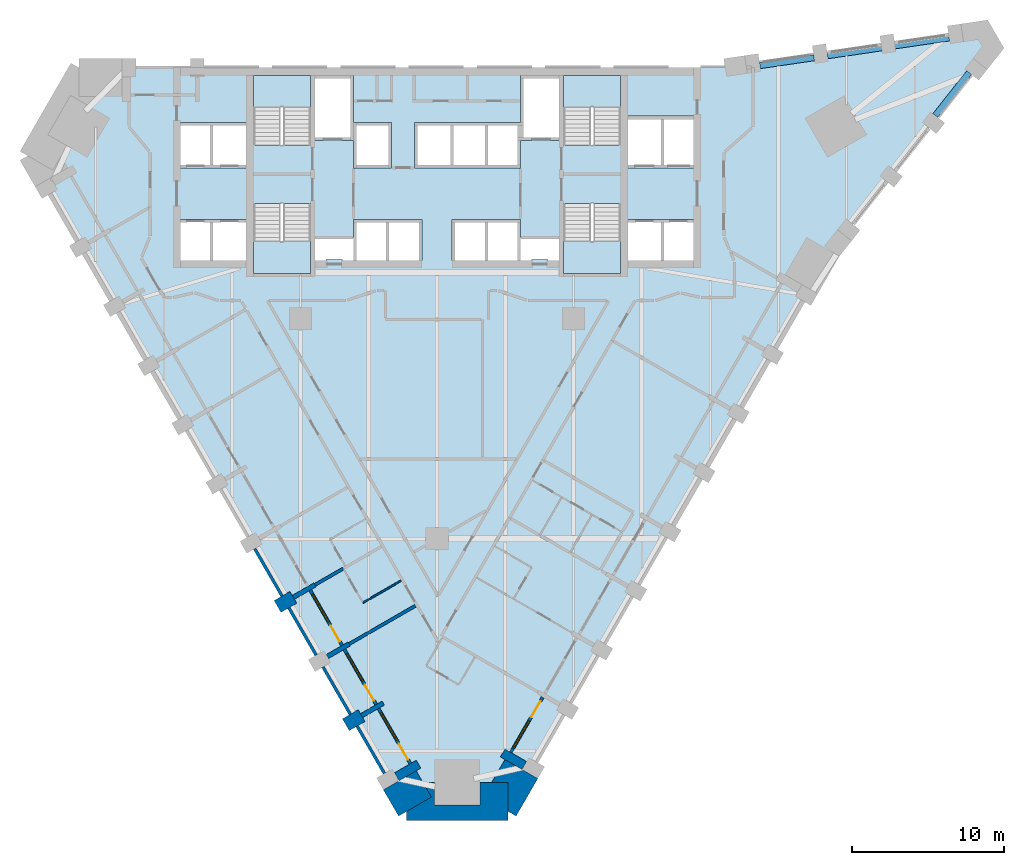
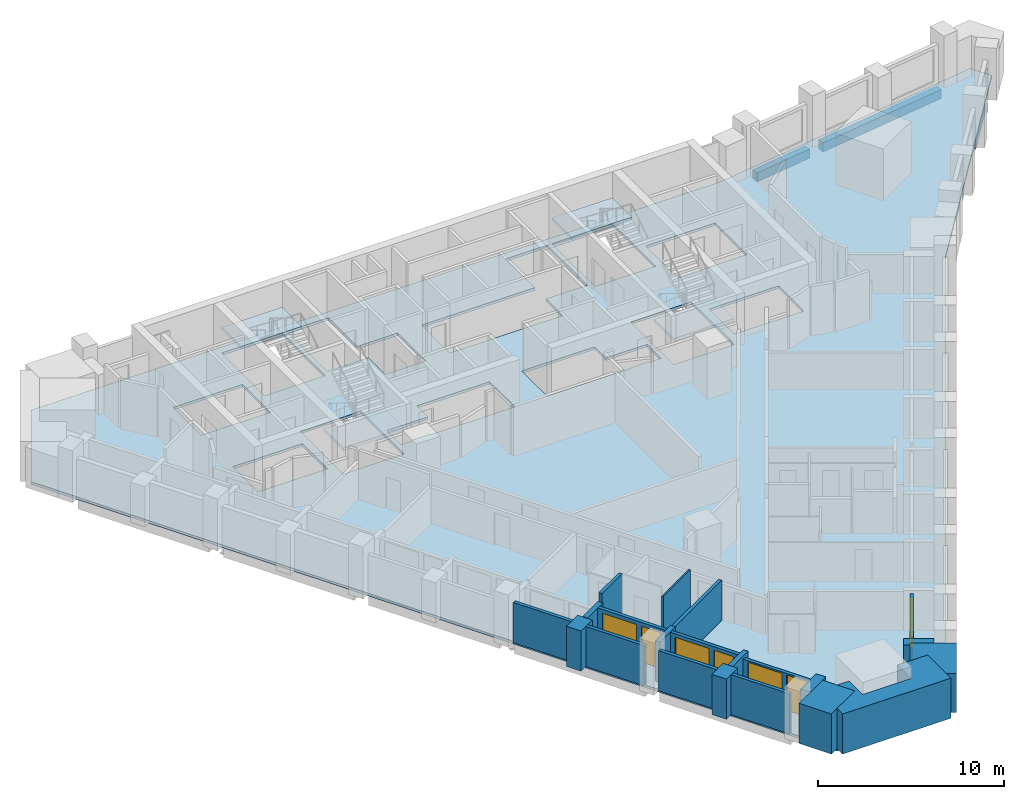
# One storey, part 2 of 10: 21 walls, 5 slabs, 4 doors, 4 windows, 3 beams, 8 openings, 4 elements without a shape of their own.
"""IFC4 building model written with IfcOpenShell, lengths in metres."""

from ifc_helpers import new_model, si_unit, direction, frame, frame_2d, origin, origin_2d, place, context, subcontext, project, spatial, polyline, rectangle, outline, extrude, material, layer, layer_set, material_profile, profile_set, type_object, element, fill, aggregate, save


model = new_model("IFC4")

# Units and contexts
model_context = context("Model", 3, precision=1e-05, world=origin(), true_north=direction((0.0, 1.0)))
body_context = subcontext(model_context, "Body", "Model", "MODEL_VIEW")
ifc_project = project(units=[si_unit("LENGTHUNIT", "METRE"), si_unit("AREAUNIT", "SQUARE_METRE"), si_unit("VOLUMEUNIT", "CUBIC_METRE"), si_unit("PLANEANGLEUNIT", "RADIAN"), si_unit("MASSUNIT", "GRAM", prefix="KILO")], contexts=[model_context])

# Site, building, storey
site_placement = place(None, origin())
site = spatial("IfcSite", under=ifc_project, at=site_placement, CompositionType="ELEMENT")
building_placement = place(site_placement, origin())
building = spatial("IfcBuilding", under=site, at=building_placement, Name="Calabash Gate Tower", CompositionType="ELEMENT")
storey_placement = place(building_placement, frame((0.0, 0.0, 95.199951171875)))
storey = spatial("IfcBuildingStorey", under=building, at=storey_placement, Name="L20", CompositionType="ELEMENT", Elevation=95.199951171875)

# Beams
ifc_material_1 = material(Name="Concrete C60/75", Category="concrete")
ifc_material_profile = material_profile(ifc_material_1, rectangle(XDim=0.39990234375, YDim=0.60009765625, at=origin_2d()))
ifc_profile_set = profile_set([ifc_material_profile], Name="Concrete C60/75")
beam_type = type_object("IfcBeamType", Name="Edge beam RC 400x600 Concrete C60/75", PredefinedType="BEAM", material=ifc_profile_set)
beam_1_placement = place(storey_placement, frame((32.841064453125, 15.90087890625, -0.469970703125), z_axis=(0.619938740258, 0.784650213998, 0.0), x_axis=(-0.784650213998, 0.619938740258, 0.0)))
element("IfcBeam", 1, at=beam_1_placement, inside=storey, type_object=beam_type, Name="Edge beam L20 12", PredefinedType="BEAM", context=body_context, shape_type="SweptSolid", body=[
    extrude(rectangle(XDim=0.39990234375, YDim=0.60009765625, at=origin_2d()), origin(), (0.0, 0.0, 1.0), 3.601806640625),
])
beam_2_placement = place(storey_placement, frame((33.7529296875, 21.012939453125, -0.469970703125), z_axis=(-0.989420683867, -0.145074843913, 0.0), x_axis=(0.145074843913, -0.989420683867, 0.0)))
element("IfcBeam", 2, at=beam_2_placement, inside=storey, type_object=beam_type, Name="Edge beam L20 15", PredefinedType="BEAM", context=body_context, shape_type="SweptSolid", body=[
    extrude(rectangle(XDim=0.39990234375, YDim=0.60009765625, at=origin_2d()), origin(), (0.0, 0.0, 1.0), 8.099609375),
])
beam_3_placement = place(storey_placement, frame((24.84912109375, 19.7080078125, -0.469970703125), z_axis=(-0.989433082017, -0.144990262464, 0.0), x_axis=(0.144990262464, -0.989433082017, 0.0)))
element("IfcBeam", 3, at=beam_3_placement, inside=storey, type_object=beam_type, Name="Edge beam L20 16", PredefinedType="BEAM", context=body_context, shape_type="SweptSolid", body=[
    extrude(rectangle(XDim=0.39990234375, YDim=0.60009765625, at=origin_2d()), origin(), (0.0, 0.0, 1.0), 3.60009765625),
])

# Slab
ifc_material_2 = material(Name="Concrete C40/50", Category="concrete")
ifc_layer_1 = layer(ifc_material_2, 0.169921875)
ifc_layer_set_1 = layer_set([ifc_layer_1], Name="Composite floor slab 170 Concrete C40/50")
slab_type_1 = type_object("IfcSlabType", Name="Composite floor slab 170 Concrete C40/50", PredefinedType="FLOOR", material=ifc_layer_set_1)
slab_1_placement = place(storey_placement, frame((0.0, 0.0, -0.169921875)))
element("IfcSlab", 4, at=slab_1_placement, inside=storey, type_object=slab_type_1, Name="Floor slab L20", PredefinedType="FLOOR", context=body_context, shape_type="SweptSolid", body=[
    extrude(outline(polyline([(-26.965576171875, 13.240966796875), (-23.610107421875, 19.052490234375), (19.0, 19.052490234375), (35.982177734375, 21.54150390625), (36.646484375, 20.390625), (26.0, 6.92822265625), (4.69482421875, -29.973388671875), (-2.015869140625, -29.973388671875), (-26.965576171875, 13.240966796875)]), holes=[polyline([(-5.5, 9.052490234375), (-5.5, 7.8525390625), (-8.050048828125, 7.8525390625), (-8.050048828125, 6.3525390625), (-7.324951171875, 6.3525390625), (-7.324951171875, 6.402587890625), (-6.22509765625, 6.402587890625), (-6.22509765625, 6.3525390625), (-5.5, 6.3525390625), (-3.25, 6.3525390625), (-1.0, 6.3525390625), (-1.0, 9.052490234375), (-3.25, 9.052490234375), (-5.5, 9.052490234375)]), polyline([(5.5, 9.052490234375), (3.25, 9.052490234375), (1.0, 9.052490234375), (1.0, 6.3525390625), (3.25, 6.3525390625), (5.5, 6.3525390625), (6.22509765625, 6.3525390625), (6.22509765625, 6.402587890625), (7.324951171875, 6.402587890625), (7.324951171875, 6.3525390625), (8.050048828125, 6.3525390625), (8.050048828125, 7.8525390625), (5.5, 7.8525390625), (5.5, 9.052490234375)]), polyline([(-5.5, 14.252685546875), (-5.5, 12.45263671875), (-3.0, 12.45263671875), (-3.0, 15.45263671875), (-5.5, 15.45263671875), (-5.5, 18.552490234375), (-8.050048828125, 18.552490234375), (-8.050048828125, 14.252685546875), (-5.5, 14.252685546875)]), polyline([(8.050048828125, 18.552490234375), (5.5, 18.552490234375), (5.5, 15.45263671875), (3.25, 15.45263671875), (1.0, 15.45263671875), (-1.5, 15.45263671875), (-1.5, 12.45263671875), (1.0, 12.45263671875), (3.25, 12.45263671875), (5.5, 12.45263671875), (5.5, 14.252685546875), (8.050048828125, 14.252685546875), (8.050048828125, 18.552490234375)]), polyline([(-12.60009765625, 6.3525390625), (-12.60009765625, 9.052490234375), (-14.85009765625, 9.052490234375), (-16.89990234375, 9.052490234375), (-16.89990234375, 6.3525390625), (-14.85009765625, 6.3525390625), (-12.60009765625, 6.3525390625)]), polyline([(-14.85009765625, 12.45263671875), (-12.60009765625, 12.45263671875), (-12.60009765625, 15.45263671875), (-14.85009765625, 15.45263671875), (-16.89990234375, 15.45263671875), (-16.89990234375, 12.45263671875), (-14.85009765625, 12.45263671875)]), polyline([(14.85009765625, 6.3525390625), (16.89990234375, 6.3525390625), (16.89990234375, 9.052490234375), (14.85009765625, 9.052490234375), (12.60009765625, 9.052490234375), (12.60009765625, 6.3525390625), (14.85009765625, 6.3525390625)]), polyline([(14.85009765625, 12.45263671875), (16.89990234375, 12.45263671875), (16.89990234375, 15.8525390625), (14.85009765625, 15.8525390625), (12.60009765625, 15.8525390625), (12.60009765625, 12.45263671875), (14.85009765625, 12.45263671875)]), polyline([(-8.35009765625, 18.552490234375), (-12.10009765625, 18.552490234375), (-12.10009765625, 13.95263671875), (-8.35009765625, 13.95263671875), (-8.35009765625, 18.552490234375)]), polyline([(-12.10009765625, 10.1025390625), (-12.10009765625, 5.502685546875), (-8.35009765625, 5.502685546875), (-8.35009765625, 10.1025390625), (-12.10009765625, 10.1025390625)]), polyline([(8.35009765625, 13.95263671875), (12.10009765625, 13.95263671875), (12.10009765625, 18.552490234375), (8.35009765625, 18.552490234375), (8.35009765625, 13.95263671875)]), polyline([(12.10009765625, 5.502685546875), (12.10009765625, 10.1025390625), (8.35009765625, 10.1025390625), (8.35009765625, 5.502685546875), (12.10009765625, 5.502685546875)])]), origin(), (0.0, 0.0, 1.0), 0.169921875),
])

# Stair, slab
ifc_material_3 = material(Name="Concrete C40/50", Category="concrete")
stair_type = type_object("IfcStairType", Name="Exit stair 20 risers of 170 mm", PredefinedType="HALF_TURN_STAIR", material=ifc_material_3)
stair_1_placement = place(storey_placement, origin())
stair_1 = element("IfcStair", 5, at=stair_1_placement, inside=storey, type_object=stair_type, Name="L20 Exit stair ST1", PredefinedType="HALF_TURN_STAIR")
ifc_material_4 = material(Name="Concrete C40/50", Category="concrete")
ifc_layer_2 = layer(ifc_material_4, 0.199951171875)
ifc_layer_set_2 = layer_set([ifc_layer_2], Name="Stair landing SL200")
slab_type_2 = type_object("IfcSlabType", Name="Stair landing SL200", PredefinedType="LANDING", material=ifc_layer_set_2)
slab_2_placement = place(storey_placement, frame((0.0, 0.0, 1.5)))
slab_2 = element("IfcSlab", 6, at=slab_2_placement, type_object=slab_type_2, Name="ST1 landing 1", PredefinedType="LANDING", context=body_context, shape_type="SweptSolid", body=[
    extrude(outline(polyline([(-8.35009765625, 16.463623046875), (-8.35009765625, 18.552490234375), (-12.10009765625, 18.552490234375), (-12.10009765625, 16.463623046875), (-8.35009765625, 16.463623046875)])), origin(), (0.0, 0.0, 1.0), 0.199951171875),
])
aggregate(stair_1, [slab_2])

stair_2_placement = place(storey_placement, origin())
stair_2 = element("IfcStair", 7, at=stair_2_placement, inside=storey, type_object=stair_type, Name="L20 Exit stair ST2", PredefinedType="HALF_TURN_STAIR")
slab_3_placement = place(storey_placement, frame((0.0, 0.0, 1.5)))
slab_3 = element("IfcSlab", 8, at=slab_3_placement, type_object=slab_type_2, Name="ST2 landing 1", PredefinedType="LANDING", context=body_context, shape_type="SweptSolid", body=[
    extrude(outline(polyline([(-12.10009765625, 7.591552734375), (-12.10009765625, 5.502685546875), (-8.35009765625, 5.502685546875), (-8.35009765625, 7.591552734375), (-12.10009765625, 7.591552734375)])), origin(), (0.0, 0.0, 1.0), 0.199951171875),
])
aggregate(stair_2, [slab_3])

stair_3_placement = place(storey_placement, origin())
stair_3 = element("IfcStair", 9, at=stair_3_placement, inside=storey, type_object=stair_type, Name="L20 Exit stair ST3", PredefinedType="HALF_TURN_STAIR")
slab_4_placement = place(storey_placement, frame((0.0, 0.0, 1.5)))
slab_4 = element("IfcSlab", 10, at=slab_4_placement, type_object=slab_type_2, Name="ST3 landing 1", PredefinedType="LANDING", context=body_context, shape_type="SweptSolid", body=[
    extrude(outline(polyline([(12.10009765625, 16.463623046875), (12.10009765625, 18.552490234375), (8.35009765625, 18.552490234375), (8.35009765625, 16.463623046875), (12.10009765625, 16.463623046875)])), origin(), (0.0, 0.0, 1.0), 0.199951171875),
])
aggregate(stair_3, [slab_4])

stair_4_placement = place(storey_placement, origin())
stair_4 = element("IfcStair", 11, at=stair_4_placement, inside=storey, type_object=stair_type, Name="L20 Exit stair ST4", PredefinedType="HALF_TURN_STAIR")
slab_5_placement = place(storey_placement, frame((0.0, 0.0, 1.5)))
slab_5 = element("IfcSlab", 12, at=slab_5_placement, type_object=slab_type_2, Name="ST4 landing 1", PredefinedType="LANDING", context=body_context, shape_type="SweptSolid", body=[
    extrude(outline(polyline([(8.35009765625, 7.591552734375), (8.35009765625, 5.502685546875), (12.10009765625, 5.502685546875), (12.10009765625, 7.591552734375), (8.35009765625, 7.591552734375)])), origin(), (0.0, 0.0, 1.0), 0.199951171875),
])
aggregate(stair_4, [slab_5])

# Walls
ifc_material_5 = material(Name="Terracotta brick masonry, exposed face", Category="masonry")
ifc_layer_3 = layer(ifc_material_5, 2.5)
ifc_layer_set_3 = layer_set([ifc_layer_3], Name="Brick corner mass wall 2500")
wall_type_1 = type_object("IfcWallType", Name="Brick corner mass wall 2500", PredefinedType="SOLIDWALL", material=ifc_layer_set_3)
wall_1_placement = place(storey_placement, origin())
element("IfcWall", 13, at=wall_1_placement, inside=storey, type_object=wall_type_1, Name="Brick corner pier S05 1a", PredefinedType="SOLIDWALL", context=body_context, shape_type="SweptSolid", body=[
    extrude(outline(polyline([(-3.535400390625, -28.54150390625), (-2.535400390625, -30.273193359375), (-0.370361328125, -29.023193359375), (-1.370361328125, -27.29150390625), (-2.496337890625, -27.941650390625), (-2.496337890625, -27.941650390625), (-3.535400390625, -28.54150390625)])), origin(), (0.0, 0.0, 1.0), 2.630126953125),
])
wall_2_placement = place(storey_placement, origin())
element("IfcWall", 14, at=wall_2_placement, inside=storey, type_object=wall_type_1, Name="Brick corner pier S05 1b", PredefinedType="SOLIDWALL", context=body_context, shape_type="SweptSolid", body=[
    extrude(outline(polyline([(-0.9189453125, -28.0732421875), (-0.370361328125, -29.023193359375), (-2.015869140625, -29.973388671875), (-2.015869140625, -30.5732421875), (4.69482421875, -30.5732421875), (4.69482421875, -28.0732421875), (2.840087890625, -28.0732421875), (2.840087890625, -29.530029296875), (-0.159912109375, -29.530029296875), (-0.159912109375, -28.0732421875), (-0.9189453125, -28.0732421875)])), origin(), (0.0, 0.0, 1.0), 2.630126953125),
])
wall_3_placement = place(storey_placement, origin())
element("IfcWall", 15, at=wall_3_placement, inside=storey, type_object=wall_type_1, Name="Brick corner pier S05 1c", PredefinedType="SOLIDWALL", context=body_context, shape_type="SweptSolid", body=[
    extrude(outline(polyline([(6.641845703125, -27.800537109375), (4.47705078125, -26.55078125), (3.597900390625, -28.0732421875), (4.69482421875, -28.0732421875), (4.69482421875, -29.973388671875), (5.214599609375, -30.273193359375), (6.641845703125, -27.800537109375)])), origin(), (0.0, 0.0, 1.0), 2.552001953125),
])
ifc_material_6 = material(Name="Terracotta brick masonry, exposed face", Category="masonry")
ifc_layer_4 = layer(ifc_material_6, 1.199951171875)
ifc_layer_set_4 = layer_set([ifc_layer_4], Name="Brick end wall 1200")
wall_type_2 = type_object("IfcWallType", Name="Brick end wall 1200", PredefinedType="SOLIDWALL", material=ifc_layer_set_4)
wall_4_placement = place(storey_placement, frame((-10.51025390625, -16.46044921875, 0.0), z_axis=(0.0, 0.0, 1.0), x_axis=(0.865955154139, 0.50012165622, 0.0)))
element("IfcWall", 16, at=wall_4_placement, inside=storey, type_object=wall_type_2, Name="Brick pier S05 SW0.7", PredefinedType="SOLIDWALL", context=body_context, shape_type="SweptSolid", body=[
    extrude(rectangle(XDim=1.199951171875, YDim=0.89990234375, at=frame_2d((0.60009765625, 0.0))), origin(), (0.0, 0.0, 1.0), 2.630126953125),
])
wall_5_placement = place(storey_placement, frame((-6.01025390625, -24.254638671875, 0.0), z_axis=(0.0, 0.0, 1.0), x_axis=(0.866043267704, 0.499969057507, 0.0)))
element("IfcWall", 17, at=wall_5_placement, inside=storey, type_object=wall_type_2, Name="Brick pier S05 SW0.9", PredefinedType="SOLIDWALL", context=body_context, shape_type="SweptSolid", body=[
    extrude(rectangle(XDim=1.19970703125, YDim=0.89990234375, at=frame_2d((0.599853515625, 0.0))), origin(), (0.0, 0.0, 1.0), 2.630126953125),
])
ifc_material_7 = material(Name="Terracotta brick masonry, exposed face", Category="masonry")
ifc_layer_5 = layer(ifc_material_7, 0.300048828125)
ifc_layer_set_5 = layer_set([ifc_layer_5], Name="Brick loggia cheek wall 300")
wall_type_3 = type_object("IfcWallType", Name="Brick loggia cheek wall 300", PredefinedType="SOLIDWALL", material=ifc_layer_set_5)
for number, where, z_axis, x_axis, name in (
    (18, (-8.042236328125, -15.035400390625, 0.0), (0.0, 0.0, 1.0), (-0.866040211805, -0.499974350878, 0.0), "Loggia cheek S05 SW0.7"),
    (19, (-7.22119140625, -19.757568359375, 0.0), (0.0, 0.0, 1.0), (0.866040211805, 0.499974350878, 0.0), "Loggia cheek S05 SW0.8"),
):
    element("IfcWall", number, at=place(storey_placement, frame(where, z_axis=z_axis, x_axis=x_axis)), inside=storey, type_object=wall_type_3, Name=name, PredefinedType="SOLIDWALL", context=body_context, shape_type="SweptSolid", body=[
        extrude(rectangle(XDim=1.64990234375, YDim=0.300048828125, at=frame_2d((0.824951171875, 0.0))), origin(), (0.0, 0.0, 1.0), 2.650146484375),
    ])
wall_6_placement = place(storey_placement, frame((-4.97119140625, -23.65478515625, 0.0), z_axis=(0.0, 0.0, 1.0), x_axis=(0.865976140824, 0.500085316245, 0.0)))
element("IfcWall", 20, at=wall_6_placement, inside=storey, type_object=wall_type_3, Name="Loggia cheek S05 SW0.9", PredefinedType="SOLIDWALL", context=body_context, shape_type="SweptSolid", body=[
    extrude(rectangle(XDim=1.650146484375, YDim=0.300048828125, at=frame_2d((0.8251953125, 0.0))), origin(), (0.0, 0.0, 1.0), 2.6279296875),
])
wall_7_placement = place(storey_placement, frame((-1.217041015625, -26.856689453125, 0.0), z_axis=(0.0, 0.0, 1.0), x_axis=(-0.866040211805, -0.499974350878, 0.0)))
element("IfcWall", 21, at=wall_7_placement, inside=storey, type_object=wall_type_3, Name="Loggia cheek S05 SW0.10", PredefinedType="SOLIDWALL", context=body_context, shape_type="SweptSolid", body=[
    extrude(rectangle(XDim=1.64990234375, YDim=0.60009765625, at=frame_2d((0.824951171875, 0.0))), origin(), (0.0, 0.0, 1.0), 2.630126953125),
])
wall_8_placement = place(storey_placement, frame((5.75244140625, -26.940673828125, 0.0), z_axis=(0.0, 0.0, 1.0), x_axis=(-0.866030301974, 0.499991515992, 0.0)))
element("IfcWall", 22, at=wall_8_placement, inside=storey, type_object=wall_type_3, Name="Loggia cheek S05 SE2.0", PredefinedType="SOLIDWALL", context=body_context, shape_type="SweptSolid", body=[
    extrude(rectangle(XDim=1.6494140625, YDim=0.60009765625, at=frame_2d((0.82470703125, 0.0))), origin(), (0.0, 0.0, 1.0), 2.4501953125),
])
ifc_material_8 = material(Name="Gypsum board on steel studs, mineral wool", Category="steel")
ifc_layer_6 = layer(ifc_material_8, 0.10009765625)
ifc_layer_set_6 = layer_set([ifc_layer_6], Name="Partition 100 gypsum board")
wall_type_4 = type_object("IfcWallType", Name="Partition 100 gypsum board", PredefinedType="PARTITIONING", material=ifc_layer_set_6)
wall_9_placement = place(storey_placement, frame((-4.880126953125, -16.212158203125, 0.0), z_axis=(0.0, 0.0, 1.0), x_axis=(0.865729701078, 0.500511822708, 0.0)))
element("IfcWall", 23, at=wall_9_placement, inside=storey, type_object=wall_type_4, Name="Partition", PredefinedType="PARTITIONING", context=body_context, shape_type="SweptSolid", body=[
    extrude(rectangle(XDim=2.89990234375, YDim=0.10009765625, at=frame_2d((1.449951171875, 0.0))), origin(), (0.0, 0.0, 1.0), 2.6279296875),
])
ifc_material_9 = material(Name="Gypsum board on steel studs, mineral wool", Category="steel")
ifc_layer_7 = layer(ifc_material_9, 0.199951171875)
ifc_layer_set_7 = layer_set([ifc_layer_7], Name="Partition 200 gypsum board EI 60")
wall_type_5 = type_object("IfcWallType", Name="Partition 200 gypsum board EI 60", PredefinedType="PARTITIONING", material=ifc_layer_set_7)
wall_10_placement = place(storey_placement, frame((-5.7919921875, -18.93310546875, 0.0), z_axis=(0.0, 0.0, 1.0), x_axis=(0.866155802953, 0.499774073968, 0.0)))
element("IfcWall", 24, at=wall_10_placement, inside=storey, type_object=wall_type_5, Name="Partition", PredefinedType="PARTITIONING", context=body_context, shape_type="SweptSolid", body=[
    extrude(rectangle(XDim=5.049560546875, YDim=0.199951171875, at=frame_2d((2.52490234375, 0.0))), origin(), (0.0, 0.0, 1.0), 2.6279296875),
])
wall_11_placement = place(storey_placement, frame((-8.0419921875, -15.03564453125, 0.0), z_axis=(0.0, 0.0, 1.0), x_axis=(0.866448284977, 0.499266831925, 0.0)))
element("IfcWall", 25, at=wall_11_placement, inside=storey, type_object=wall_type_5, Name="Partition", PredefinedType="PARTITIONING", context=body_context, shape_type="SweptSolid", body=[
    extrude(rectangle(XDim=2.149658203125, YDim=0.199951171875, at=frame_2d((1.07470703125, 0.0))), origin(), (0.0, 0.0, 1.0), 3.22998046875),
])
ifc_material_10 = material(Name="Terracotta brick masonry, perforated", Category="masonry")
ifc_layer_8 = layer(ifc_material_10, 0.199951171875)
ifc_layer_set_8 = layer_set([ifc_layer_8], Name="Terracotta jaali screen A")
wall_type_6 = type_object("IfcWallType", Name="Terracotta jaali screen A", PredefinedType="SOLIDWALL", material=ifc_layer_set_8)
wall_12_placement = place(storey_placement, frame((-12.015625, -12.653076171875, 0.0), z_axis=(0.0, 0.0, 1.0), x_axis=(0.499961193289, -0.866047807691, 0.0)))
element("IfcWall", 26, at=wall_12_placement, inside=storey, type_object=wall_type_6, Name="SCREEN A S05 SW0.7", PredefinedType="SOLIDWALL", context=body_context, shape_type="SweptSolid", body=[
    extrude(rectangle(XDim=3.599853515625, YDim=0.199951171875, at=frame_2d((1.7998046875, 0.0))), origin(), (0.0, 0.0, 1.0), 2.630126953125),
])
wall_13_placement = place(storey_placement, frame((-9.765625, -16.550048828125, 0.0), z_axis=(0.0, 0.0, 1.0), x_axis=(0.499931829785, -0.866064758299, 0.0)))
element("IfcWall", 27, at=wall_13_placement, inside=storey, type_object=wall_type_6, Name="SCREEN A S05 SW0.8", PredefinedType="SOLIDWALL", context=body_context, shape_type="SweptSolid", body=[
    extrude(rectangle(XDim=3.60009765625, YDim=0.199951171875, at=frame_2d((1.800048828125, 0.0))), origin(), (0.0, 0.0, 1.0), 2.630126953125),
])
for number, where, z_axis, x_axis, name in (
    (28, (-7.515625, -20.447265625, 0.0), (0.0, 0.0, 1.0), (0.499961193289, -0.866047807691, 0.0), "SCREEN A S05 SW0.9"),
    (29, (-5.265625, -24.344482421875, 0.0), (0.0, 0.0, 1.0), (0.499961193289, -0.866047807691, 0.0), "SCREEN A S05 SW0.10"),
):
    element("IfcWall", number, at=place(storey_placement, frame(where, z_axis=z_axis, x_axis=x_axis)), inside=storey, type_object=wall_type_6, Name=name, PredefinedType="SOLIDWALL", context=body_context, shape_type="SweptSolid", body=[
        extrude(rectangle(XDim=3.599853515625, YDim=0.199951171875, at=frame_2d((1.7998046875, 0.0))), origin(), (0.0, 0.0, 1.0), 2.630126953125),
    ])

# Wall, openings, door, window
ifc_material_11 = material(Name="Aluminium framed window wall with insulated spandrel", Category="aluminium")
ifc_layer_9 = layer(ifc_material_11, 0.199951171875)
ifc_layer_set_9 = layer_set([ifc_layer_9], Name="Window wall 200")
wall_type_7 = type_object("IfcWallType", Name="Window wall 200", PredefinedType="ELEMENTEDWALL", material=ifc_layer_set_9)
wall_14_placement = place(storey_placement, frame((-8.35693359375, -15.390380859375, 0.0), z_axis=(0.0, 0.0, 1.0), x_axis=(0.500027713859, -0.866009402589, 0.0)))
wall_14 = element("IfcWall", 30, at=wall_14_placement, inside=storey, type_object=wall_type_7, Name="Window wall S05 SW0.8", PredefinedType="ELEMENTEDWALL", context=body_context, shape_type="SweptSolid", body=[
    extrude(rectangle(XDim=4.199951171875, YDim=0.199951171875, at=frame_2d((2.10009765625, 0.0))), origin(), (0.0, 0.0, 1.0), 2.650146484375),
])
opening_1_placement = place(wall_14_placement, frame((0.300048828125, 0.0, 0.60009765625)))
opening_1 = element("IfcOpeningElement", 31, at=opening_1_placement, cuts=wall_14, Name="Opening HW1", PredefinedType="OPENING", context=body_context, shape_type="SweptSolid", body=[
    extrude(rectangle(XDim=2.10009765625, YDim=1.800048828125, at=frame_2d((1.050048828125, 0.89990234375))), frame((0.0, 0.10986328125, 0.0), z_axis=(0.0, -1.0, 0.0), x_axis=(1.0, 0.0, 0.0)), (0.0, 0.0, 1.0), 0.219970703125),
])
opening_2_placement = place(wall_14_placement, frame((2.699951171875, 0.0, 0.0)))
opening_2 = element("IfcOpeningElement", 32, at=opening_2_placement, cuts=wall_14, Name="Opening H5-026", PredefinedType="OPENING", context=body_context, shape_type="SweptSolid", body=[
    extrude(rectangle(XDim=1.199951171875, YDim=2.39990234375, at=frame_2d((0.60009765625, 1.199951171875))), frame((0.0, 0.10986328125, 0.0), z_axis=(0.0, -1.0, 0.0), x_axis=(1.0, 0.0, 0.0)), (0.0, 0.0, 1.0), 0.219970703125),
])
ifc_material_12 = material(Name="Anodised aluminium frame, bronze finish, impact-rated laminated clear glazing", Category="aluminium")
door_type_1 = type_object("IfcDoorType", Name="Loggia door DH1 1200x2400", OperationType="SLIDING_TO_LEFT", PredefinedType="DOOR", material=ifc_material_12)
door_1_placement = place(opening_2_placement, origin())
door_1 = element("IfcDoor", 33, at=door_1_placement, inside=storey, type_object=door_type_1, Name="Loggia door S05 SW0.8", OperationType="SINGLE_SWING_LEFT", OverallHeight=2.39990234375, OverallWidth=1.199951171875, PredefinedType="DOOR", context=body_context, shape_type="SweptSolid", body=[
    extrude(rectangle(XDim=1.199951171875, YDim=2.39990234375, at=frame_2d((0.60009765625, 1.199951171875))), frame((0.0, 0.02490234375, 0.0), z_axis=(0.0, -1.0, 0.0), x_axis=(1.0, 0.0, 0.0)), (0.0, 0.0, 1.0), 0.050048828125),
])
fill(opening_2, door_1)
ifc_material_13 = material(Name="Anodised aluminium frame, bronze finish, impact-rated laminated clear glazing", Category="aluminium")
window_type_1 = type_object("IfcWindowType", Name="Window HW1 2100x1800", PartitioningType="DOUBLE_PANEL_VERTICAL", PredefinedType="WINDOW", material=ifc_material_13)
window_1_placement = place(opening_1_placement, origin())
window_1 = element("IfcWindow", 34, at=window_1_placement, inside=storey, type_object=window_type_1, Name="Window HW1 S05 SW0.8", OverallHeight=1.800048828125, OverallWidth=2.10009765625, PartitioningType="SINGLE_PANEL", PredefinedType="WINDOW", context=body_context, shape_type="SweptSolid", body=[
    extrude(rectangle(XDim=2.10009765625, YDim=1.800048828125, at=frame_2d((1.050048828125, 0.89990234375))), frame((0.0, 0.030029296875, 0.0), z_axis=(0.0, -1.0, 0.0), x_axis=(1.0, 0.0, 0.0)), (0.0, 0.0, 1.0), 0.06005859375),
])
fill(opening_1, window_1)

wall_15_placement = place(storey_placement, frame((-6.10693359375, -19.287353515625, 0.0), z_axis=(0.0, 0.0, 1.0), x_axis=(0.500002543286, -0.866023935413, 0.0)))
wall_15 = element("IfcWall", 35, at=wall_15_placement, inside=storey, type_object=wall_type_7, Name="Window wall S05 SW0.9", PredefinedType="ELEMENTEDWALL", context=body_context, shape_type="SweptSolid", body=[
    extrude(rectangle(XDim=4.2001953125, YDim=0.199951171875, at=frame_2d((2.10009765625, 0.0))), origin(), (0.0, 0.0, 1.0), 2.6279296875),
])
opening_3_placement = place(wall_15_placement, frame((0.300048828125, 0.0, 0.60009765625)))
opening_3 = element("IfcOpeningElement", 36, at=opening_3_placement, cuts=wall_15, Name="Opening HW1", PredefinedType="OPENING", context=body_context, shape_type="SweptSolid", body=[
    extrude(rectangle(XDim=2.10009765625, YDim=1.800048828125, at=frame_2d((1.050048828125, 0.89990234375))), frame((0.0, 0.10986328125, 0.0), z_axis=(0.0, -1.0, 0.0), x_axis=(1.0, 0.0, 0.0)), (0.0, 0.0, 1.0), 0.219970703125),
])
opening_4_placement = place(wall_15_placement, frame((2.699951171875, 0.0, 0.0)))
opening_4 = element("IfcOpeningElement", 37, at=opening_4_placement, cuts=wall_15, Name="Opening H5-027", PredefinedType="OPENING", context=body_context, shape_type="SweptSolid", body=[
    extrude(rectangle(XDim=1.199951171875, YDim=2.39990234375, at=frame_2d((0.60009765625, 1.199951171875))), frame((0.0, 0.10986328125, 0.0), z_axis=(0.0, -1.0, 0.0), x_axis=(1.0, 0.0, 0.0)), (0.0, 0.0, 1.0), 0.219970703125),
])
door_2_placement = place(opening_4_placement, origin())
door_2 = element("IfcDoor", 38, at=door_2_placement, inside=storey, type_object=door_type_1, Name="Loggia door S05 SW0.9", OperationType="SINGLE_SWING_LEFT", OverallHeight=2.39990234375, OverallWidth=1.199951171875, PredefinedType="DOOR", context=body_context, shape_type="SweptSolid", body=[
    extrude(rectangle(XDim=1.199951171875, YDim=2.39990234375, at=frame_2d((0.60009765625, 1.199951171875))), frame((0.0, 0.02490234375, 0.0), z_axis=(0.0, -1.0, 0.0), x_axis=(1.0, 0.0, 0.0)), (0.0, 0.0, 1.0), 0.050048828125),
])
fill(opening_4, door_2)
window_2_placement = place(opening_3_placement, origin())
window_2 = element("IfcWindow", 39, at=window_2_placement, inside=storey, type_object=window_type_1, Name="Window HW1 S05 SW0.9", OverallHeight=1.800048828125, OverallWidth=2.10009765625, PartitioningType="SINGLE_PANEL", PredefinedType="WINDOW", context=body_context, shape_type="SweptSolid", body=[
    extrude(rectangle(XDim=2.10009765625, YDim=1.800048828125, at=frame_2d((1.050048828125, 0.89990234375))), frame((0.0, 0.030029296875, 0.0), z_axis=(0.0, -1.0, 0.0), x_axis=(1.0, 0.0, 0.0)), (0.0, 0.0, 1.0), 0.06005859375),
])
fill(opening_3, window_2)

wall_16_placement = place(storey_placement, frame((-3.85693359375, -23.1845703125, 0.0), z_axis=(0.0, 0.0, 1.0), x_axis=(0.500027713859, -0.866009402589, 0.0)))
wall_16 = element("IfcWall", 40, at=wall_16_placement, inside=storey, type_object=wall_type_7, Name="Window wall S05 SW0.10", PredefinedType="ELEMENTEDWALL", context=body_context, shape_type="SweptSolid", body=[
    extrude(rectangle(XDim=4.199951171875, YDim=0.199951171875, at=frame_2d((2.10009765625, 0.0))), origin(), (0.0, 0.0, 1.0), 2.4501953125),
])
opening_5_placement = place(wall_16_placement, frame((0.300048828125, 0.0, 0.60009765625)))
opening_5 = element("IfcOpeningElement", 41, at=opening_5_placement, cuts=wall_16, Name="Opening HW1L-1750", PredefinedType="OPENING", context=body_context, shape_type="SweptSolid", body=[
    extrude(rectangle(XDim=2.10009765625, YDim=1.75, at=frame_2d((1.050048828125, 0.875))), frame((0.0, 0.10986328125, 0.0), z_axis=(0.0, -1.0, 0.0), x_axis=(1.0, 0.0, 0.0)), (0.0, 0.0, 1.0), 0.219970703125),
])
opening_6_placement = place(wall_16_placement, frame((2.699951171875, 0.0, 0.0)))
opening_6 = element("IfcOpeningElement", 42, at=opening_6_placement, cuts=wall_16, Name="Opening H5-028", PredefinedType="OPENING", context=body_context, shape_type="SweptSolid", body=[
    extrude(rectangle(XDim=1.199951171875, YDim=2.35009765625, at=frame_2d((0.60009765625, 1.175048828125))), frame((0.0, 0.10986328125, 0.0), z_axis=(0.0, -1.0, 0.0), x_axis=(1.0, 0.0, 0.0)), (0.0, 0.0, 1.0), 0.219970703125),
])
ifc_material_14 = material(Name="Anodised aluminium frame, bronze finish, impact-rated laminated clear glazing", Category="aluminium")
door_type_2 = type_object("IfcDoorType", Name="Loggia door DH1L-2350 1200x2350", OperationType="SLIDING_TO_LEFT", PredefinedType="DOOR", material=ifc_material_14)
door_3_placement = place(opening_6_placement, origin())
door_3 = element("IfcDoor", 43, at=door_3_placement, inside=storey, type_object=door_type_2, Name="Loggia door S05 SW0.10", OperationType="SINGLE_SWING_LEFT", OverallHeight=2.35009765625, OverallWidth=1.199951171875, PredefinedType="DOOR", context=body_context, shape_type="SweptSolid", body=[
    extrude(rectangle(XDim=1.199951171875, YDim=2.35009765625, at=frame_2d((0.60009765625, 1.175048828125))), frame((0.0, 0.02490234375, 0.0), z_axis=(0.0, -1.0, 0.0), x_axis=(1.0, 0.0, 0.0)), (0.0, 0.0, 1.0), 0.050048828125),
])
fill(opening_6, door_3)
ifc_material_15 = material(Name="Anodised aluminium frame, bronze finish, impact-rated laminated clear glazing", Category="aluminium")
window_type_2 = type_object("IfcWindowType", Name="Window HW1L 2100x1750", PartitioningType="DOUBLE_PANEL_VERTICAL", PredefinedType="WINDOW", material=ifc_material_15)
window_3_placement = place(opening_5_placement, origin())
window_3 = element("IfcWindow", 44, at=window_3_placement, inside=storey, type_object=window_type_2, Name="Window HW1 S05 SW0.10", OverallHeight=1.75, OverallWidth=2.10009765625, PartitioningType="SINGLE_PANEL", PredefinedType="WINDOW", context=body_context, shape_type="SweptSolid", body=[
    extrude(rectangle(XDim=2.10009765625, YDim=1.75, at=frame_2d((1.050048828125, 0.875))), frame((0.0, 0.030029296875, 0.0), z_axis=(0.0, -1.0, 0.0), x_axis=(1.0, 0.0, 0.0)), (0.0, 0.0, 1.0), 0.06005859375),
])
fill(opening_5, window_3)

wall_17_placement = place(storey_placement, frame((4.863525390625, -26.0810546875, 0.0), z_axis=(0.0, 0.0, 1.0), x_axis=(0.500027713859, 0.866009402589, 0.0)))
wall_17 = element("IfcWall", 45, at=wall_17_placement, inside=storey, type_object=wall_type_7, Name="Window wall S05 SE2.1", PredefinedType="ELEMENTEDWALL", context=body_context, shape_type="SweptSolid", body=[
    extrude(rectangle(XDim=4.199951171875, YDim=0.199951171875, at=frame_2d((2.10009765625, 0.0))), origin(), (0.0, 0.0, 1.0), 2.4501953125),
])
opening_7_placement = place(wall_17_placement, frame((0.300048828125, 0.0, 0.60009765625)))
opening_7 = element("IfcOpeningElement", 46, at=opening_7_placement, cuts=wall_17, Name="Opening HW1L-1750", PredefinedType="OPENING", context=body_context, shape_type="SweptSolid", body=[
    extrude(rectangle(XDim=2.10009765625, YDim=1.75, at=frame_2d((1.050048828125, 0.875))), frame((0.0, 0.10986328125, 0.0), z_axis=(0.0, -1.0, 0.0), x_axis=(1.0, 0.0, 0.0)), (0.0, 0.0, 1.0), 0.219970703125),
])
opening_8_placement = place(wall_17_placement, frame((2.699951171875, 0.0, 0.0)))
opening_8 = element("IfcOpeningElement", 47, at=opening_8_placement, cuts=wall_17, Name="Opening H5-019", PredefinedType="OPENING", context=body_context, shape_type="SweptSolid", body=[
    extrude(rectangle(XDim=1.199951171875, YDim=2.35009765625, at=frame_2d((0.60009765625, 1.175048828125))), frame((0.0, 0.10986328125, 0.0), z_axis=(0.0, -1.0, 0.0), x_axis=(1.0, 0.0, 0.0)), (0.0, 0.0, 1.0), 0.219970703125),
])
door_4_placement = place(opening_8_placement, origin())
door_4 = element("IfcDoor", 48, at=door_4_placement, inside=storey, type_object=door_type_2, Name="Loggia door S05 SE2.1", OperationType="SINGLE_SWING_LEFT", OverallHeight=2.35009765625, OverallWidth=1.199951171875, PredefinedType="DOOR", context=body_context, shape_type="SweptSolid", body=[
    extrude(rectangle(XDim=1.199951171875, YDim=2.35009765625, at=frame_2d((0.60009765625, 1.175048828125))), frame((0.0, 0.02490234375, 0.0), z_axis=(0.0, -1.0, 0.0), x_axis=(1.0, 0.0, 0.0)), (0.0, 0.0, 1.0), 0.050048828125),
])
fill(opening_8, door_4)
window_4_placement = place(opening_7_placement, origin())
window_4 = element("IfcWindow", 49, at=window_4_placement, inside=storey, type_object=window_type_2, Name="Window HW1 S05 SE2.1", OverallHeight=1.75, OverallWidth=2.10009765625, PartitioningType="SINGLE_PANEL", PredefinedType="WINDOW", context=body_context, shape_type="SweptSolid", body=[
    extrude(rectangle(XDim=2.10009765625, YDim=1.75, at=frame_2d((1.050048828125, 0.875))), frame((0.0, 0.030029296875, 0.0), z_axis=(0.0, -1.0, 0.0), x_axis=(1.0, 0.0, 0.0)), (0.0, 0.0, 1.0), 0.06005859375),
])
fill(opening_7, window_4)

save(model, "model.ifc")
